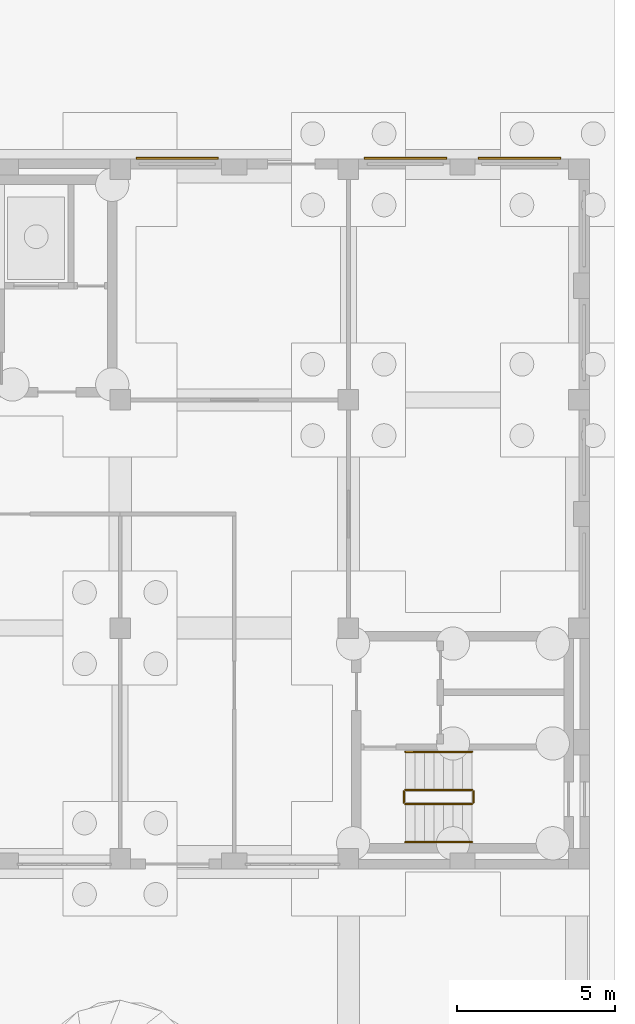
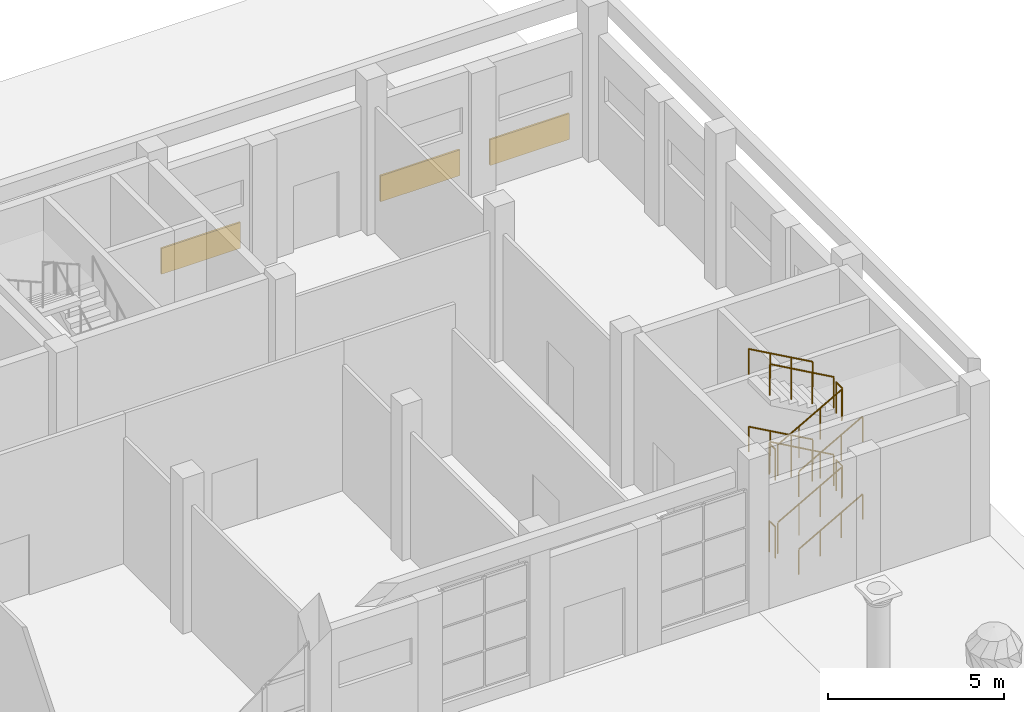
# One storey, part 73 of 80: 12 railings, 3 shading devices.
"""IFC4 building model written with IfcOpenShell, lengths in metres."""

import ifcopenshell
import ifcopenshell.guid

model = None  # the IFC model being written
_history = None  # IfcOwnerHistory: only IFC2X3 demands one
_inside = {}  # id of a spatial element -> (the spatial element, [elements in it])
_under = {}  # id of a project, library or spatial element -> (it, [spatial elements below it])
_declared = {}  # id of a project -> (the project, [libraries it declares])
_typed = {}  # id of a type object -> (the type object, [elements of that type])
_made_of = {}  # id of a material, layer set ... -> (it, [elements and type objects made of it])


def new_model(schema):
    """Start an empty IFC model of exactly this schema.

    Asked for "IFC4X3", IfcOpenShell would pick the latest addendum, in which some entities
    have other attributes; the version numbers below select the first issue.
    IFC2X3 requires an IfcOwnerHistory on every rooted entity: one is made here for all.
    """
    global model, _history
    if schema == "IFC4X3":
        model = ifcopenshell.file(schema_version=(4, 3, 0, 0))
    else:
        model = ifcopenshell.file(schema=schema)
    _inside.clear()
    _under.clear()
    _declared.clear()
    _typed.clear()
    _made_of.clear()
    _history = None
    if model.schema == "IFC2X3":
        org = make("IfcOrganization", Name="unknown")
        user = make(
            "IfcPersonAndOrganization",
            ThePerson=make("IfcPerson", FamilyName="unknown"),
            TheOrganization=org,
        )
        app = make(
            "IfcApplication",
            ApplicationDeveloper=org,
            Version="unknown",
            ApplicationFullName="unknown",
            ApplicationIdentifier="unknown",
        )
        _history = make(
            "IfcOwnerHistory",
            OwningUser=user,
            OwningApplication=app,
            ChangeAction="ADDED",
            CreationDate=0,
        )
    return model


def make(cls, **values):
    """One entity of the class cls with the attributes given. An attribute that is None is left unset."""
    return model.create_entity(
        cls, **{name: value for name, value in values.items() if value is not None}
    )


def rooted(cls, **values):
    """An entity with a GlobalId (a new one), such as an element, a storey or a relation."""
    return make(cls, GlobalId=ifcopenshell.guid.new(), OwnerHistory=_history, **values)


def si_unit(unit_type, name, prefix=None):
    """IfcSIUnit, for example si_unit("LENGTHUNIT", "METRE", prefix="MILLI")."""
    return make("IfcSIUnit", UnitType=unit_type, Prefix=prefix, Name=name)


def assignment(units):
    """IfcUnitAssignment: the units of a project."""
    return None if units is None else make("IfcUnitAssignment", Units=units)


def point(xyz):
    """IfcCartesianPoint."""
    return None if xyz is None else make("IfcCartesianPoint", Coordinates=xyz)


def direction(xyz):
    """IfcDirection."""
    return None if xyz is None else make("IfcDirection", DirectionRatios=xyz)


def frame(location, z_axis=None, x_axis=None):
    """IfcAxis2Placement3D, a coordinate frame: its origin and axes. An axis left out is left unset."""
    return make(
        "IfcAxis2Placement3D",
        Location=point(location),
        Axis=direction(z_axis),
        RefDirection=direction(x_axis),
    )


def frame_2d(location, x_axis=None):
    """IfcAxis2Placement2D, a coordinate frame in the plane: its origin and x axis."""
    return make(
        "IfcAxis2Placement2D", Location=point(location), RefDirection=direction(x_axis)
    )


def origin():
    """The frame at (0, 0, 0) with its axes left unset."""
    return frame((0.0, 0.0, 0.0))


def origin_2d():
    """The frame at (0, 0) in the plane with its x axis left unset."""
    return frame_2d((0.0, 0.0))


def place(relative_to, where):
    """IfcLocalPlacement: puts the frame where relative to a parent placement (None: the world)."""
    return make(
        "IfcLocalPlacement", PlacementRelTo=relative_to, RelativePlacement=where
    )


def context(
    kind, dimensions, precision=None, world=None, true_north=None, identifier=None
):
    """IfcGeometricRepresentationContext, for example the 3D "Model" context."""
    return make(
        "IfcGeometricRepresentationContext",
        ContextIdentifier=identifier,
        ContextType=kind,
        CoordinateSpaceDimension=dimensions,
        Precision=precision,
        WorldCoordinateSystem=world,
        TrueNorth=true_north,
    )


def subcontext(parent, identifier, kind, view, scale=None):
    """IfcGeometricRepresentationSubContext, for example "Body" below "Model"."""
    return make(
        "IfcGeometricRepresentationSubContext",
        ContextIdentifier=identifier,
        ContextType=kind,
        ParentContext=parent,
        TargetScale=scale,
        TargetView=view,
    )


def project(units=None, contexts=None):
    """IfcProject with its units and contexts."""
    return rooted(
        "IfcProject",
        Name="project",
        RepresentationContexts=contexts,
        UnitsInContext=assignment(units),
    )


def spatial(cls, under=None, at=None, **own):
    """A site, building, storey or space (cls), placed at a placement, below another one or the project."""
    s = rooted(cls, ObjectPlacement=at, **own)
    if under is not None:
        _under.setdefault(under.id(), (under, []))[1].append(s)
    return s


def profile(cls, at=None, kind="AREA", **sizes):
    """A parametric profile (cls). Its sizes go by their IFC names, for example OverallWidth=200.0."""
    return make(cls, ProfileType=kind, Position=at, **sizes)


def rectangle(**sizes):
    """IfcRectangleProfileDef."""
    return profile("IfcRectangleProfileDef", **sizes)


def circle(**sizes):
    """IfcCircleProfileDef."""
    return profile("IfcCircleProfileDef", **sizes)


def extrude(swept, where, along, depth):
    """IfcExtrudedAreaSolid: the profile swept, set in the frame where, extruded along a direction by depth."""
    return make(
        "IfcExtrudedAreaSolid",
        SweptArea=swept,
        Position=where,
        ExtrudedDirection=direction(along),
        Depth=depth,
    )


def shape(context_of_items, identifier, shape_type, items):
    """IfcShapeRepresentation: the items that make up one representation, for example the "Body"."""
    return make(
        "IfcShapeRepresentation",
        ContextOfItems=context_of_items,
        RepresentationIdentifier=identifier,
        RepresentationType=shape_type,
        Items=items,
    )


def material(Name=None, Category=None):
    """IfcMaterial."""
    return make("IfcMaterial", Name=Name, Category=Category)


def layer(
    of_material, thickness, ventilated=None, Name=None, Category=None, Priority=None
):
    """IfcMaterialLayer: one layer of a wall or slab, of a material (None: an air gap)."""
    return make(
        "IfcMaterialLayer",
        Material=of_material,
        LayerThickness=thickness,
        IsVentilated=ventilated,
        Name=Name,
        Category=Category,
        Priority=Priority,
    )


def layer_set(layers, Name=None):
    """IfcMaterialLayerSet."""
    return make("IfcMaterialLayerSet", MaterialLayers=layers, LayerSetName=Name)


def made_of(thing, what):
    """Note that an element or type object is made of a material, layer set ...; save() writes the relation."""
    if what is not None:
        _made_of.setdefault(what.id(), (what, []))[1].append(thing)
    return thing


def type_object(cls, material=None, **own):
    """A type object (cls), such as IfcWallType, which elements share."""
    return made_of(rooted(cls, **own), material)


def element(
    cls,
    number,
    at=None,
    inside=None,
    cuts=None,
    type_object=None,
    material=None,
    context=None,
    identifier="Body",
    shape_type=None,
    held_by="IfcProductDefinitionShape",
    body=None,
    shapes=None,
    **own,
):
    """One element of the class cls, such as IfcWall. Its Tag is "e" and its number.

    at: its placement. inside: the storey or other place that contains it. cuts: it is an
    opening in that element (IfcRelVoidsElement). A single representation is given by context,
    identifier, shape_type and body (its items); several are given by shapes. held_by: the class
    of the entity that holds the representations. save() writes the other relations.
    """
    e = rooted(cls, Tag="e%d" % number, ObjectPlacement=at, **own)
    if body is not None:
        shapes = [shape(context, identifier, shape_type, body)]
    if shapes is not None:
        e.Representation = make(held_by, Representations=shapes)
    if inside is not None:
        _inside.setdefault(inside.id(), (inside, []))[1].append(e)
    if cuts is not None:
        rooted(
            "IfcRelVoidsElement", RelatingBuildingElement=cuts, RelatedOpeningElement=e
        )
    if type_object is not None:
        _typed.setdefault(type_object.id(), (type_object, []))[1].append(e)
    return made_of(e, material)


def aggregate(whole, parts):
    """IfcRelAggregates: a whole, such as a stair, and the parts it consists of."""
    return rooted("IfcRelAggregates", RelatingObject=whole, RelatedObjects=parts)


def save(model, path):
    """Write the relations noted so far, then the file.

    IfcRelAggregates (storeys below a building ...), IfcRelContainedInSpatialStructure (elements
    in a storey), IfcRelDefinesByType, IfcRelAssociatesMaterial and IfcRelDeclares: one each for
    every whole, place, type object, material and project.
    """
    for whole, parts in _under.values():
        aggregate(whole, parts)
    for where, things in _inside.values():
        rooted(
            "IfcRelContainedInSpatialStructure",
            RelatedElements=things,
            RelatingStructure=where,
        )
    for kind, things in _typed.values():
        rooted("IfcRelDefinesByType", RelatedObjects=things, RelatingType=kind)
    for what, things in _made_of.values():
        rooted("IfcRelAssociatesMaterial", RelatedObjects=things, RelatingMaterial=what)
    for by, libraries in _declared.values():
        rooted("IfcRelDeclares", RelatingContext=by, RelatedDefinitions=libraries)
    model.write(path)


model = new_model("IFC4")

# Units and contexts
model_context = context("Model", 3, precision=1e-05, world=origin(), true_north=direction((0.0, 1.0)))
body_context = subcontext(model_context, "Body", "Model", "MODEL_VIEW")
ifc_project = project(units=[si_unit("LENGTHUNIT", "METRE"), si_unit("AREAUNIT", "SQUARE_METRE"), si_unit("VOLUMEUNIT", "CUBIC_METRE"), si_unit("PLANEANGLEUNIT", "RADIAN"), si_unit("MASSUNIT", "GRAM", prefix="KILO")], contexts=[model_context])

# Site, building, storey
site_placement = place(None, origin())
site = spatial("IfcSite", under=ifc_project, at=site_placement, CompositionType="ELEMENT")
building_placement = place(site_placement, origin())
building = spatial("IfcBuilding", under=site, at=building_placement, Name="Ussher Court Research Institute", CompositionType="ELEMENT")
storey_placement = place(building_placement, origin())
storey = spatial("IfcBuildingStorey", under=building, at=storey_placement, Name="L00", CompositionType="ELEMENT", Elevation=0.0)

# Shading devices
ifc_material_1 = material(Name="Aluminium louvre", Category="aluminium")
ifc_layer = layer(ifc_material_1, 0.06005859375)
ifc_layer_set = layer_set([ifc_layer], Name="Aluminium louvre")
shading_device_type = type_object("IfcShadingDeviceType", Name="Louvre panel 2600x900", PredefinedType="USERDEFINED", material=ifc_layer_set)
for number, where, z_axis, x_axis, name in (
    (1, (91.199951171875, 90.830078125, 0.5), (0.0, 0.0, 1.0), (1.0, 0.0, 0.0), "Louvre panel LV1 L00"),
    (2, (98.39990234375, 90.830078125, 0.5), (0.0, 0.0, 1.0), (1.0, 0.0, 0.0), "Louvre panel LV1 L00"),
    (3, (102.0, 90.830078125, 0.5), (0.0, 0.0, 1.0), (1.0, 0.0, 0.0), "Louvre panel LV1 L00"),
):
    element("IfcShadingDevice", number, at=place(storey_placement, frame(where, z_axis=z_axis, x_axis=x_axis)), inside=storey, type_object=shading_device_type, Name=name, ObjectType="LOUVRE", PredefinedType="USERDEFINED", context=body_context, shape_type="SweptSolid", body=[
        extrude(rectangle(XDim=2.60009765625, YDim=0.06005859375, at=origin_2d()), origin(), (0.0, 0.0, 1.0), 0.89990234375),
    ])

# Railings
ifc_material_2 = material(Name="Painted steel balustrade", Category="steel")
railing_type_1 = type_object("IfcRailingType", Name="Stair guard 1100 steel balustrade", PredefinedType="GUARDRAIL", material=ifc_material_2)
railing_1_placement = place(storey_placement, frame((98.39990234375, 70.449951171875, 0.168701171875)))
element("IfcRailing", 4, at=railing_1_placement, inside=storey, type_object=railing_type_1, Name="L00 C2 stair guard 1", PredefinedType="GUARDRAIL", context=body_context, shape_type="SweptSolid", body=[
    extrude(circle(Radius=0.02392578125, at=origin_2d()), frame((0.0, 0.0, 1.076171875), z_axis=(0.871559301308, 0.0, 0.490290102189), x_axis=(0.0, 1.0, 0.0)), (0.0, 0.0, 1.0), 2.40966796875),
    extrude(circle(Radius=0.02099609375, at=origin_2d()), origin(), (0.0, 0.0, 1.0), 1.052001953125),
    extrude(circle(Radius=0.02099609375, at=origin_2d()), frame((0.699951171875, 0.0, 0.393798828125)), (0.0, 0.0, 1.0), 1.052001953125),
    extrude(circle(Radius=0.02099609375, at=origin_2d()), frame((1.400146484375, 0.0, 0.78759765625)), (0.0, 0.0, 1.0), 1.052001953125),
    extrude(circle(Radius=0.02099609375, at=origin_2d()), frame((2.10009765625, 0.0, 1.181396484375)), (0.0, 0.0, 1.0), 1.052001953125),
])
railing_2_placement = place(storey_placement, frame((100.550048828125, 70.5, 1.35009765625)))
element("IfcRailing", 5, at=railing_2_placement, inside=storey, type_object=railing_type_1, Name="L00 C2 stair guard 2", PredefinedType="GUARDRAIL", context=body_context, shape_type="SweptSolid", body=[
    extrude(circle(Radius=0.02392578125, at=origin_2d()), frame((0.0, 0.0, 1.076171875), z_axis=(0.0, 1.0, 0.0), x_axis=(-1.0, 0.0, 0.0)), (0.0, 0.0, 1.0), 0.35009765625),
    extrude(circle(Radius=0.02099609375, at=origin_2d()), origin(), (0.0, 0.0, 1.0), 1.052001953125),
    extrude(circle(Radius=0.02099609375, at=origin_2d()), frame((0.0, 0.35009765625, 0.0)), (0.0, 0.0, 1.0), 1.052001953125),
])
railing_3_placement = place(storey_placement, frame((100.5, 70.89990234375, 1.518798828125)))
element("IfcRailing", 6, at=railing_3_placement, inside=storey, type_object=railing_type_1, Name="L00 C2 stair guard 3", PredefinedType="GUARDRAIL", context=body_context, shape_type="SweptSolid", body=[
    extrude(circle(Radius=0.02392578125, at=origin_2d()), frame((0.0, 0.0, 1.076171875), z_axis=(-0.871602596039, 0.0, 0.490213131788), x_axis=(0.0, -1.0, 0.0)), (0.0, 0.0, 1.0), 2.409423828125),
    extrude(circle(Radius=0.02099609375, at=origin_2d()), origin(), (0.0, 0.0, 1.0), 1.052001953125),
    extrude(circle(Radius=0.02099609375, at=origin_2d()), frame((-0.699951171875, 0.0, 0.393798828125)), (0.0, 0.0, 1.0), 1.052001953125),
    extrude(circle(Radius=0.02099609375, at=origin_2d()), frame((-1.400146484375, 0.0, 0.787353515625)), (0.0, 0.0, 1.0), 1.052001953125),
    extrude(circle(Radius=0.02099609375, at=origin_2d()), frame((-2.10009765625, 0.0, 1.18115234375)), (0.0, 0.0, 1.0), 1.052001953125),
])
railing_4_placement = place(storey_placement, frame((98.35009765625, 70.5, 2.699951171875)))
element("IfcRailing", 7, at=railing_4_placement, inside=storey, type_object=railing_type_1, Name="L00 C2 stair guard 4", PredefinedType="GUARDRAIL", context=body_context, shape_type="SweptSolid", body=[
    extrude(circle(Radius=0.02392578125, at=origin_2d()), frame((0.0, 0.0, 1.076171875), z_axis=(0.0, 1.0, 0.0), x_axis=(-1.0, 0.0, 0.0)), (0.0, 0.0, 1.0), 0.35009765625),
    extrude(circle(Radius=0.02099609375, at=origin_2d()), origin(), (0.0, 0.0, 1.0), 1.052001953125),
    extrude(circle(Radius=0.02099609375, at=origin_2d()), frame((0.0, 0.35009765625, 0.0)), (0.0, 0.0, 1.0), 1.052001953125),
])
railing_5_placement = place(storey_placement, frame((98.39990234375, 70.449951171875, 2.86865234375)))
element("IfcRailing", 8, at=railing_5_placement, inside=storey, type_object=railing_type_1, Name="L00 C2 stair guard 5", PredefinedType="GUARDRAIL", context=body_context, shape_type="SweptSolid", body=[
    extrude(circle(Radius=0.02392578125, at=origin_2d()), frame((0.0, 0.0, 1.076171875), z_axis=(0.871559301308, 0.0, 0.490290102189), x_axis=(0.0, 1.0, 0.0)), (0.0, 0.0, 1.0), 2.40966796875),
    extrude(circle(Radius=0.02099609375, at=origin_2d()), origin(), (0.0, 0.0, 1.0), 1.052001953125),
    extrude(circle(Radius=0.02099609375, at=origin_2d()), frame((0.699951171875, 0.0, 0.393798828125)), (0.0, 0.0, 1.0), 1.052001953125),
    extrude(circle(Radius=0.02099609375, at=origin_2d()), frame((1.400146484375, 0.0, 0.78759765625)), (0.0, 0.0, 1.0), 1.052001953125),
    extrude(circle(Radius=0.02099609375, at=origin_2d()), frame((2.10009765625, 0.0, 1.181396484375)), (0.0, 0.0, 1.0), 1.052001953125),
])
railing_6_placement = place(storey_placement, frame((100.550048828125, 70.5, 4.050048828125)))
element("IfcRailing", 9, at=railing_6_placement, inside=storey, type_object=railing_type_1, Name="L00 C2 stair guard 6", PredefinedType="GUARDRAIL", context=body_context, shape_type="SweptSolid", body=[
    extrude(circle(Radius=0.02392578125, at=origin_2d()), frame((0.0, 0.0, 1.076171875), z_axis=(0.0, 1.0, 0.0), x_axis=(-1.0, 0.0, 0.0)), (0.0, 0.0, 1.0), 0.35009765625),
    extrude(circle(Radius=0.02099609375, at=origin_2d()), origin(), (0.0, 0.0, 1.0), 1.052001953125),
    extrude(circle(Radius=0.02099609375, at=origin_2d()), frame((0.0, 0.35009765625, 0.0)), (0.0, 0.0, 1.0), 1.052001953125),
])
railing_7_placement = place(storey_placement, frame((100.5, 70.89990234375, 4.21875)))
element("IfcRailing", 10, at=railing_7_placement, inside=storey, type_object=railing_type_1, Name="L00 C2 stair guard 7", PredefinedType="GUARDRAIL", context=body_context, shape_type="SweptSolid", body=[
    extrude(circle(Radius=0.02392578125, at=origin_2d()), frame((0.0, 0.0, 1.076171875), z_axis=(-0.871602596039, 0.0, 0.490213131788), x_axis=(0.0, -1.0, 0.0)), (0.0, 0.0, 1.0), 2.409423828125),
    extrude(circle(Radius=0.02099609375, at=origin_2d()), origin(), (0.0, 0.0, 1.0), 1.052001953125),
    extrude(circle(Radius=0.02099609375, at=origin_2d()), frame((-0.699951171875, 0.0, 0.393798828125)), (0.0, 0.0, 1.0), 1.052001953125),
    extrude(circle(Radius=0.02099609375, at=origin_2d()), frame((-1.400146484375, 0.0, 0.787353515625)), (0.0, 0.0, 1.0), 1.052001953125),
    extrude(circle(Radius=0.02099609375, at=origin_2d()), frame((-2.10009765625, 0.0, 1.18115234375)), (0.0, 0.0, 1.0), 1.052001953125),
])
railing_8_placement = place(storey_placement, frame((98.35009765625, 70.5, 0.0)))
element("IfcRailing", 11, at=railing_8_placement, inside=storey, type_object=railing_type_1, Name="L00 C2 stair guard 8", PredefinedType="GUARDRAIL", context=body_context, shape_type="SweptSolid", body=[
    extrude(circle(Radius=0.02392578125, at=origin_2d()), frame((0.0, 0.0, 1.076171875), z_axis=(0.0, 1.0, 0.0), x_axis=(-1.0, 0.0, 0.0)), (0.0, 0.0, 1.0), 0.35009765625),
    extrude(circle(Radius=0.02099609375, at=origin_2d()), origin(), (0.0, 0.0, 1.0), 1.052001953125),
    extrude(circle(Radius=0.02099609375, at=origin_2d()), frame((0.0, 0.35009765625, 0.0)), (0.0, 0.0, 1.0), 1.052001953125),
])
ifc_material_3 = material(Name="Painted steel handrail", Category="steel")
railing_type_2 = type_object("IfcRailingType", Name="Stair handrail 900 steel", PredefinedType="HANDRAIL", material=ifc_material_3)
railing_9_placement = place(storey_placement, frame((98.39990234375, 69.25, 0.168701171875)))
element("IfcRailing", 12, at=railing_9_placement, inside=storey, type_object=railing_type_2, Name="L00 C2 stair handrail 1", PredefinedType="HANDRAIL", context=body_context, shape_type="SweptSolid", body=[
    extrude(circle(Radius=0.02392578125, at=origin_2d()), frame((0.0, 0.0, 0.8759765625), z_axis=(0.871559301308, 0.0, 0.490290102189), x_axis=(0.0, 1.0, 0.0)), (0.0, 0.0, 1.0), 2.40966796875),
    extrude(circle(Radius=0.02099609375, at=origin_2d()), origin(), (0.0, 0.0, 1.0), 0.851806640625),
    extrude(circle(Radius=0.02099609375, at=origin_2d()), frame((0.699951171875, 0.0, 0.393798828125)), (0.0, 0.0, 1.0), 0.851806640625),
    extrude(circle(Radius=0.02099609375, at=origin_2d()), frame((1.400146484375, 0.0, 0.78759765625)), (0.0, 0.0, 1.0), 0.851806640625),
    extrude(circle(Radius=0.02099609375, at=origin_2d()), frame((2.10009765625, 0.0, 1.181396484375)), (0.0, 0.0, 1.0), 0.851806640625),
])
railing_10_placement = place(storey_placement, frame((100.5, 72.10009765625, 1.518798828125)))
element("IfcRailing", 13, at=railing_10_placement, inside=storey, type_object=railing_type_2, Name="L00 C2 stair handrail 2", PredefinedType="HANDRAIL", context=body_context, shape_type="SweptSolid", body=[
    extrude(circle(Radius=0.02392578125, at=origin_2d()), frame((0.0, 0.0, 0.8759765625), z_axis=(-0.871602596039, 0.0, 0.490213131788), x_axis=(0.0, -1.0, 0.0)), (0.0, 0.0, 1.0), 2.409423828125),
    extrude(circle(Radius=0.02099609375, at=origin_2d()), origin(), (0.0, 0.0, 1.0), 0.851806640625),
    extrude(circle(Radius=0.02099609375, at=origin_2d()), frame((-0.699951171875, 0.0, 0.393798828125)), (0.0, 0.0, 1.0), 0.851806640625),
    extrude(circle(Radius=0.02099609375, at=origin_2d()), frame((-1.400146484375, 0.0, 0.787353515625)), (0.0, 0.0, 1.0), 0.851806640625),
    extrude(circle(Radius=0.02099609375, at=origin_2d()), frame((-2.10009765625, 0.0, 1.18115234375)), (0.0, 0.0, 1.0), 0.851806640625),
])
railing_11_placement = place(storey_placement, frame((98.39990234375, 69.25, 2.86865234375)))
element("IfcRailing", 14, at=railing_11_placement, inside=storey, type_object=railing_type_2, Name="L00 C2 stair handrail 3", PredefinedType="HANDRAIL", context=body_context, shape_type="SweptSolid", body=[
    extrude(circle(Radius=0.02392578125, at=origin_2d()), frame((0.0, 0.0, 0.8759765625), z_axis=(0.871559301308, 0.0, 0.490290102189), x_axis=(0.0, 1.0, 0.0)), (0.0, 0.0, 1.0), 2.40966796875),
    extrude(circle(Radius=0.02099609375, at=origin_2d()), origin(), (0.0, 0.0, 1.0), 0.851806640625),
    extrude(circle(Radius=0.02099609375, at=origin_2d()), frame((0.699951171875, 0.0, 0.393798828125)), (0.0, 0.0, 1.0), 0.851806640625),
    extrude(circle(Radius=0.02099609375, at=origin_2d()), frame((1.400146484375, 0.0, 0.78759765625)), (0.0, 0.0, 1.0), 0.851806640625),
    extrude(circle(Radius=0.02099609375, at=origin_2d()), frame((2.10009765625, 0.0, 1.181396484375)), (0.0, 0.0, 1.0), 0.851806640625),
])
railing_12_placement = place(storey_placement, frame((100.5, 72.10009765625, 4.21875)))
element("IfcRailing", 15, at=railing_12_placement, inside=storey, type_object=railing_type_2, Name="L00 C2 stair handrail 4", PredefinedType="HANDRAIL", context=body_context, shape_type="SweptSolid", body=[
    extrude(circle(Radius=0.02392578125, at=origin_2d()), frame((0.0, 0.0, 0.8759765625), z_axis=(-0.871602596039, 0.0, 0.490213131788), x_axis=(0.0, -1.0, 0.0)), (0.0, 0.0, 1.0), 2.409423828125),
    extrude(circle(Radius=0.02099609375, at=origin_2d()), origin(), (0.0, 0.0, 1.0), 0.851806640625),
    extrude(circle(Radius=0.02099609375, at=origin_2d()), frame((-0.699951171875, 0.0, 0.393798828125)), (0.0, 0.0, 1.0), 0.851806640625),
    extrude(circle(Radius=0.02099609375, at=origin_2d()), frame((-1.400146484375, 0.0, 0.787353515625)), (0.0, 0.0, 1.0), 0.851806640625),
    extrude(circle(Radius=0.02099609375, at=origin_2d()), frame((-2.10009765625, 0.0, 1.18115234375)), (0.0, 0.0, 1.0), 0.851806640625),
])

save(model, "model.ifc")
